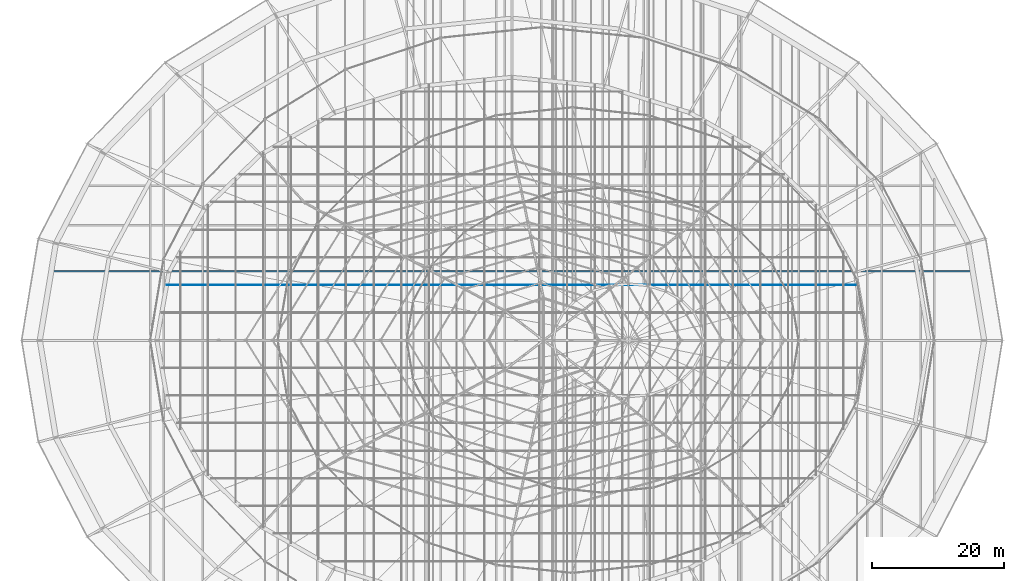
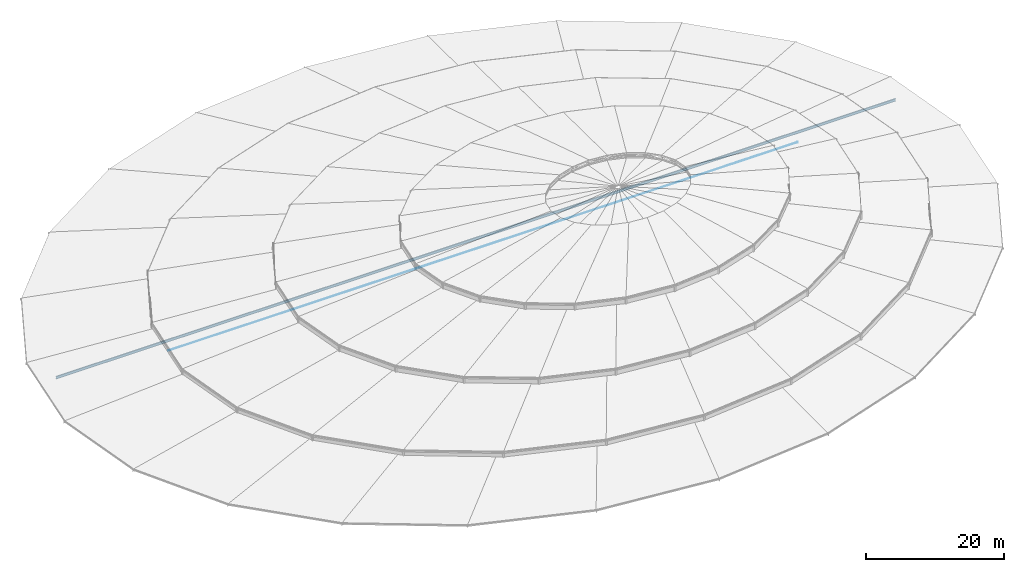
# One storey, part 105 of 184: 2 members.
"""IFC4 building model written with IfcOpenShell, lengths in metres."""

from ifc_helpers import new_model, si_unit, direction, frame, origin, origin_2d, place, context, subcontext, project, spatial, circle, i_section, extrude, material, material_profile, profile_set, type_object, element, save


model = new_model("IFC4")

# Units and contexts
model_context = context("Model", 3, precision=1e-05, world=origin(), true_north=direction((0.0, 1.0)))
body_context = subcontext(model_context, "Body", "Model", "MODEL_VIEW")
ifc_project = project(units=[si_unit("LENGTHUNIT", "METRE"), si_unit("AREAUNIT", "SQUARE_METRE"), si_unit("VOLUMEUNIT", "CUBIC_METRE"), si_unit("PLANEANGLEUNIT", "RADIAN"), si_unit("MASSUNIT", "GRAM", prefix="KILO")], contexts=[model_context])

# Site, building, storey
site_placement = place(None, origin())
site = spatial("IfcSite", under=ifc_project, at=site_placement, CompositionType="ELEMENT")
building_placement = place(site_placement, origin())
building = spatial("IfcBuilding", under=site, at=building_placement, Name="Kalgoora Escarpment Arena", CompositionType="ELEMENT")
storey_placement = place(building_placement, frame((0.0, 0.0, 27.60009765625)))
storey = spatial("IfcBuildingStorey", under=building, at=storey_placement, Name="Roof Level", CompositionType="ELEMENT", Elevation=27.60009765625)

# Members
ifc_material_1 = material(Name="High-tensile spiral strand steel Grade 450 (350 MPa)", Category="steel")
ifc_material_profile_1 = material_profile(ifc_material_1, circle(Radius=0.0439453125, at=origin_2d()))
ifc_profile_set_1 = profile_set([ifc_material_profile_1], Name="High-tensile spiral strand steel Grade 450 (350 MPa)")
member_type_1 = type_object("IfcMemberType", Name="MEM-CABLE-88", PredefinedType="USERDEFINED", material=ifc_profile_set_1)
member_1_placement = place(storey_placement, frame((39.892822265625, 72.39990234375, -1.25), z_axis=(1.0, 0.0, 0.0), x_axis=(0.0, 1.0, 0.0)))
element("IfcMember", 1, at=member_1_placement, inside=storey, type_object=member_type_1, Name="Roof saddle hanging cable X-11", ObjectType="CABLE", PredefinedType="USERDEFINED", context=body_context, shape_type="SweptSolid", body=[
    extrude(circle(Radius=0.0439453125, at=origin_2d()), origin(), (0.0, 0.0, 1.0), 105.01416015625),
])
ifc_material_2 = material(Name="Structural steel AS/NZS 3679 (300 MPa)", Category="steel")
ifc_material_profile_2 = material_profile(ifc_material_2, i_section(OverallWidth=0.19091796875, OverallDepth=0.4599609375, WebThickness=0.010009765625, FlangeThickness=0.01611328125, at=origin_2d()))
ifc_profile_set_2 = profile_set([ifc_material_profile_2], Name="Structural steel AS/NZS 3679 (300 MPa)")
member_type_2 = type_object("IfcMemberType", Name="MEM-CARRIER-CHORD", PredefinedType="CHORD", material=ifc_profile_set_2)
member_2_placement = place(storey_placement, frame((22.34130859375, 74.5, -1.16015625), z_axis=(1.0, 0.0, 0.0), x_axis=(0.0, 1.0, 0.0)))
element("IfcMember", 2, at=member_2_placement, inside=storey, type_object=member_type_2, Name="Roof east-west truss tie carrier chord C01", PredefinedType="CHORD", context=body_context, shape_type="SweptSolid", body=[
    extrude(i_section(OverallWidth=0.19091796875, OverallDepth=0.4599609375, WebThickness=0.010009765625, FlangeThickness=0.01611328125, at=origin_2d()), origin(), (0.0, 0.0, 1.0), 140.117431640625),
])

save(model, "model.ifc")
